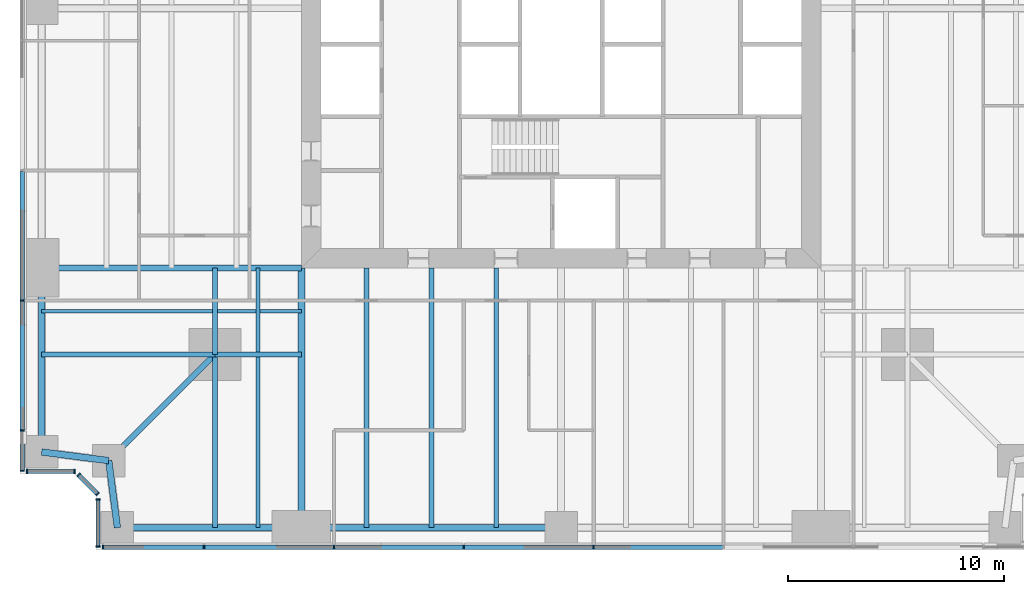
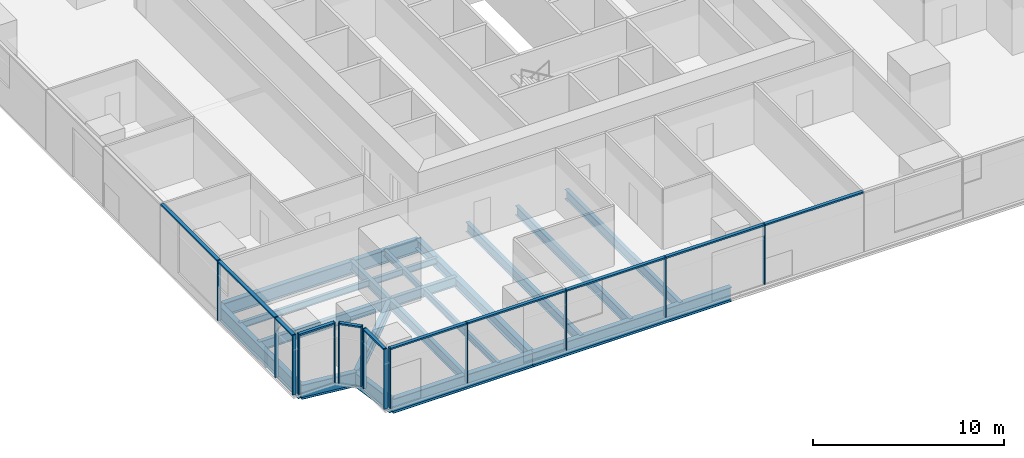
# One storey, part 2 of 14: 25 members, 20 beams, 5 elements without a shape of their own.
"""IFC4 building model written with IfcOpenShell, lengths in metres."""

from ifc_helpers import new_model, si_unit, direction, frame, origin, origin_2d, place, context, subcontext, project, spatial, rectangle, i_section, extrude, material, material_profile, profile_set, type_object, element, aggregate, save


model = new_model("IFC4")

# Units and contexts
model_context = context("Model", 3, precision=1e-05, world=origin(), true_north=direction((0.0, 1.0)))
body_context = subcontext(model_context, "Body", "Model", "MODEL_VIEW")
ifc_project = project(units=[si_unit("LENGTHUNIT", "METRE"), si_unit("AREAUNIT", "SQUARE_METRE"), si_unit("VOLUMEUNIT", "CUBIC_METRE"), si_unit("PLANEANGLEUNIT", "RADIAN"), si_unit("MASSUNIT", "GRAM", prefix="KILO")], contexts=[model_context])

# Site, building, storey
site_placement = place(None, origin())
site = spatial("IfcSite", under=ifc_project, at=site_placement, CompositionType="ELEMENT")
building_placement = place(site_placement, origin())
building = spatial("IfcBuilding", under=site, at=building_placement, Name="Fenwick Lantern Interchange", CompositionType="ELEMENT")
storey_placement = place(building_placement, frame((0.0, 0.0, 35.0)))
storey = spatial("IfcBuildingStorey", under=building, at=storey_placement, Name="L07", CompositionType="ELEMENT", Elevation=35.0)

# Beams
ifc_material_1 = material(Name="Steel ASTM A992 Grade 50", Category="steel")
ifc_material_profile_1 = material_profile(ifc_material_1, i_section(OverallWidth=0.3046875, OverallDepth=0.911865234375, WebThickness=0.015869140625, FlangeThickness=0.02392578125, at=origin_2d()), Name="W36X150")
ifc_profile_set_1 = profile_set([ifc_material_profile_1], Name="Steel ASTM A992 Grade 50")
beam_type_1 = type_object("IfcBeamType", Name="EDGE BEAM W36X150", PredefinedType="SPANDREL", material=ifc_profile_set_1)
beam_1_placement = place(storey_placement, frame((4.5, 1.0, -0.60595703125), z_axis=(1.0, 0.0, 0.0), x_axis=(0.0, 1.0, 0.0)))
element("IfcBeam", 1, at=beam_1_placement, inside=storey, type_object=beam_type_1, Name="L07/FR/S/EB1", PredefinedType="SPANDREL", context=body_context, shape_type="SweptSolid", body=[
    extrude(i_section(OverallWidth=0.3046875, OverallDepth=0.911865234375, WebThickness=0.015869140625, FlangeThickness=0.02392578125, at=origin_2d()), origin(), (0.0, 0.0, 1.0), 8.5),
])
beam_2_placement = place(storey_placement, frame((13.0, 1.0, -0.60595703125), z_axis=(1.0, 0.0, 0.0), x_axis=(0.0, 1.0, 0.0)))
element("IfcBeam", 2, at=beam_2_placement, inside=storey, type_object=beam_type_1, Name="L07/FR/S/EB2", PredefinedType="SPANDREL", context=body_context, shape_type="SweptSolid", body=[
    extrude(i_section(OverallWidth=0.3046875, OverallDepth=0.911865234375, WebThickness=0.015869140625, FlangeThickness=0.02392578125, at=origin_2d()), origin(), (0.0, 0.0, 1.0), 12.0),
])
beam_3_placement = place(storey_placement, frame((1.0, 13.0, -0.60595703125), z_axis=(0.0, -1.0, 0.0), x_axis=(1.0, 0.0, 0.0)))
element("IfcBeam", 3, at=beam_3_placement, inside=storey, type_object=beam_type_1, Name="L07/FR/W/EB4", PredefinedType="SPANDREL", context=body_context, shape_type="SweptSolid", body=[
    extrude(i_section(OverallWidth=0.3046875, OverallDepth=0.911865234375, WebThickness=0.015869140625, FlangeThickness=0.02392578125, at=origin_2d()), origin(), (0.0, 0.0, 1.0), 8.5),
])
for number, where, z_axis, x_axis, name in (
    (4, (1.0, 4.5, -0.60595703125), (0.991782342897, -0.127936641807, 0.0), (0.127936641807, 0.991782342897, 0.0), "L07/FR/W/EBR1"),
    (5, (4.10009765625, 4.10009765625, -0.60595703125), (0.127936641807, -0.991782342897, 0.0), (0.991782342897, 0.127936641807, 0.0), "L07/FR/W/EBR2"),
):
    element("IfcBeam", number, at=place(storey_placement, frame(where, z_axis=z_axis, x_axis=x_axis)), inside=storey, type_object=beam_type_1, Name=name, PredefinedType="SPANDREL", context=body_context, shape_type="SweptSolid", body=[
        extrude(i_section(OverallWidth=0.3046875, OverallDepth=0.911865234375, WebThickness=0.015869140625, FlangeThickness=0.02392578125, at=origin_2d()), origin(), (0.0, 0.0, 1.0), 3.125732421875),
    ])
ifc_material_profile_2 = material_profile(ifc_material_1, i_section(OverallWidth=0.22900390625, OverallDepth=0.612060546875, WebThickness=0.011962890625, FlangeThickness=0.01953125, at=origin_2d()), Name="W24X84")
ifc_profile_set_2 = profile_set([ifc_material_profile_2], Name="Steel ASTM A992 Grade 50")
beam_type_2 = type_object("IfcBeamType", Name="FLOOR BEAM W24X84", PredefinedType="BEAM", material=ifc_profile_set_2)
for number, where, z_axis, x_axis, name in (
    (6, (16.0, 1.0, -0.4560546875), (0.0, 1.0, 0.0), (-1.0, 0.0, 0.0), "L07/FR/S/R02"),
    (7, (19.0, 1.0, -0.4560546875), (0.0, 1.0, 0.0), (-1.0, 0.0, 0.0), "L07/FR/S/R03"),
    (8, (22.0, 1.0, -0.4560546875), (0.0, 1.0, 0.0), (-1.0, 0.0, 0.0), "L07/FR/S/R04"),
):
    element("IfcBeam", number, at=place(storey_placement, frame(where, z_axis=z_axis, x_axis=x_axis)), inside=storey, type_object=beam_type_2, Name=name, PredefinedType="BEAM", context=body_context, shape_type="SweptSolid", body=[
        extrude(i_section(OverallWidth=0.22900390625, OverallDepth=0.612060546875, WebThickness=0.011962890625, FlangeThickness=0.01953125, at=origin_2d()), origin(), (0.0, 0.0, 1.0), 12.0),
    ])
ifc_material_profile_3 = material_profile(ifc_material_1, i_section(OverallWidth=0.177734375, OverallDepth=0.406494140625, WebThickness=0.0078125, FlangeThickness=0.012939453125, at=origin_2d()), Name="W16X40")
ifc_profile_set_3 = profile_set([ifc_material_profile_3], Name="Steel ASTM A992 Grade 50")
beam_type_3 = type_object("IfcBeamType", Name="INFILL BEAM W16X40", PredefinedType="JOIST", material=ifc_profile_set_3)
beam_4_placement = place(storey_placement, frame((11.0, 1.0, -0.353271484375), z_axis=(0.0, 1.0, 0.0), x_axis=(-1.0, 0.0, 0.0)))
element("IfcBeam", 9, at=beam_4_placement, inside=storey, type_object=beam_type_3, Name="L07/FR/S/J1", PredefinedType="JOIST", context=body_context, shape_type="SweptSolid", body=[
    extrude(i_section(OverallWidth=0.177734375, OverallDepth=0.406494140625, WebThickness=0.0078125, FlangeThickness=0.012939453125, at=origin_2d()), origin(), (0.0, 0.0, 1.0), 7.885498046875),
])
beam_5_placement = place(storey_placement, frame((11.0, 9.114501953125, -0.353271484375), z_axis=(0.0, 1.0, 0.0), x_axis=(-1.0, 0.0, 0.0)))
element("IfcBeam", 10, at=beam_5_placement, inside=storey, type_object=beam_type_3, Name="L07/FR/S/J2", PredefinedType="JOIST", context=body_context, shape_type="SweptSolid", body=[
    extrude(i_section(OverallWidth=0.177734375, OverallDepth=0.406494140625, WebThickness=0.0078125, FlangeThickness=0.012939453125, at=origin_2d()), origin(), (0.0, 0.0, 1.0), 3.885498046875),
])
beam_6_placement = place(storey_placement, frame((1.0, 11.0, -0.353271484375), z_axis=(1.0, 0.0, 0.0), x_axis=(0.0, 1.0, 0.0)))
element("IfcBeam", 11, at=beam_6_placement, inside=storey, type_object=beam_type_3, Name="L07/FR/S/J3", PredefinedType="JOIST", context=body_context, shape_type="SweptSolid", body=[
    extrude(i_section(OverallWidth=0.177734375, OverallDepth=0.406494140625, WebThickness=0.0078125, FlangeThickness=0.012939453125, at=origin_2d()), origin(), (0.0, 0.0, 1.0), 7.885498046875),
])
beam_7_placement = place(storey_placement, frame((9.114501953125, 11.0, -0.353271484375), z_axis=(1.0, 0.0, 0.0), x_axis=(0.0, 1.0, 0.0)))
element("IfcBeam", 12, at=beam_7_placement, inside=storey, type_object=beam_type_3, Name="L07/FR/S/J4", PredefinedType="JOIST", context=body_context, shape_type="SweptSolid", body=[
    extrude(i_section(OverallWidth=0.177734375, OverallDepth=0.406494140625, WebThickness=0.0078125, FlangeThickness=0.012939453125, at=origin_2d()), origin(), (0.0, 0.0, 1.0), 1.796630859375),
])
beam_8_placement = place(storey_placement, frame((11.0888671875, 11.0, -0.353271484375), z_axis=(1.0, 0.0, 0.0), x_axis=(0.0, 1.0, 0.0)))
element("IfcBeam", 13, at=beam_8_placement, inside=storey, type_object=beam_type_3, Name="L07/FR/S/J5", PredefinedType="JOIST", context=body_context, shape_type="SweptSolid", body=[
    extrude(i_section(OverallWidth=0.177734375, OverallDepth=0.406494140625, WebThickness=0.0078125, FlangeThickness=0.012939453125, at=origin_2d()), origin(), (0.0, 0.0, 1.0), 1.9111328125),
])
ifc_material_profile_4 = material_profile(ifc_material_1, i_section(OverallWidth=0.22900390625, OverallDepth=0.612060546875, WebThickness=0.011962890625, FlangeThickness=0.01953125, at=origin_2d()), Name="W24X84")
ifc_profile_set_4 = profile_set([ifc_material_profile_4], Name="Steel ASTM A992 Grade 50")
beam_type_4 = type_object("IfcBeamType", Name="MEGA COLUMN BEAM W24X84", PredefinedType="BEAM", material=ifc_profile_set_4)
for number, where, z_axis, x_axis, name in (
    (14, (9.0, 9.0, -0.4560546875), (0.0, -1.0, 0.0), (1.0, 0.0, 0.0), "L07/FR/S/MB1"),
    (15, (9.0, 9.0, -0.4560546875), (-1.0, 0.0, 0.0), (0.0, -1.0, 0.0), "L07/FR/S/MB2"),
):
    element("IfcBeam", number, at=place(storey_placement, frame(where, z_axis=z_axis, x_axis=x_axis)), inside=storey, type_object=beam_type_4, Name=name, PredefinedType="BEAM", context=body_context, shape_type="SweptSolid", body=[
        extrude(i_section(OverallWidth=0.22900390625, OverallDepth=0.612060546875, WebThickness=0.011962890625, FlangeThickness=0.01953125, at=origin_2d()), origin(), (0.0, 0.0, 1.0), 8.0),
    ])
for number, where, z_axis, x_axis, name in (
    (16, (9.0, 9.0, -0.4560546875), (1.0, 0.0, 0.0), (0.0, 1.0, 0.0), "L07/FR/S/MB3"),
    (17, (9.0, 9.0, -0.4560546875), (0.0, 1.0, 0.0), (-1.0, 0.0, 0.0), "L07/FR/S/MB4"),
):
    element("IfcBeam", number, at=place(storey_placement, frame(where, z_axis=z_axis, x_axis=x_axis)), inside=storey, type_object=beam_type_4, Name=name, PredefinedType="BEAM", context=body_context, shape_type="SweptSolid", body=[
        extrude(i_section(OverallWidth=0.22900390625, OverallDepth=0.612060546875, WebThickness=0.011962890625, FlangeThickness=0.01953125, at=origin_2d()), origin(), (0.0, 0.0, 1.0), 4.0),
    ])
ifc_material_profile_5 = material_profile(ifc_material_1, i_section(OverallWidth=0.32763671875, OverallDepth=0.622314453125, WebThickness=0.015380859375, FlangeThickness=0.0244140625, at=origin_2d()), Name="W24X131")
ifc_profile_set_5 = profile_set([ifc_material_profile_5], Name="Steel ASTM A992 Grade 50")
beam_type_5 = type_object("IfcBeamType", Name="MOMENT-CONNECTED GIRDER W24X131", PredefinedType="BEAM", material=ifc_profile_set_5)
beam_9_placement = place(storey_placement, frame((13.0, 1.0, -0.461181640625), z_axis=(0.0, 1.0, 0.0), x_axis=(-1.0, 0.0, 0.0)))
element("IfcBeam", 18, at=beam_9_placement, inside=storey, type_object=beam_type_5, Name="L07/FR/S/R01", PredefinedType="BEAM", context=body_context, shape_type="SweptSolid", body=[
    extrude(i_section(OverallWidth=0.32763671875, OverallDepth=0.622314453125, WebThickness=0.015380859375, FlangeThickness=0.0244140625, at=origin_2d()), origin(), (0.0, 0.0, 1.0), 12.0),
])
ifc_material_profile_6 = material_profile(ifc_material_1, i_section(OverallWidth=0.2919921875, OverallDepth=0.845703125, WebThickness=0.015380859375, FlangeThickness=0.0244140625, at=origin_2d()), Name="W33X141")
ifc_profile_set_6 = profile_set([ifc_material_profile_6], Name="Steel ASTM A992 Grade 50")
beam_type_6 = type_object("IfcBeamType", Name="MOMENT-CONNECTED GIRDER W33X141", PredefinedType="BEAM", material=ifc_profile_set_6)
beam_10_placement = place(storey_placement, frame((1.0, 13.0, -0.572998046875), z_axis=(1.0, 0.0, 0.0), x_axis=(0.0, 1.0, 0.0)))
element("IfcBeam", 19, at=beam_10_placement, inside=storey, type_object=beam_type_6, Name="L07/FR/W/R03", PredefinedType="BEAM", context=body_context, shape_type="SweptSolid", body=[
    extrude(i_section(OverallWidth=0.2919921875, OverallDepth=0.845703125, WebThickness=0.015380859375, FlangeThickness=0.0244140625, at=origin_2d()), origin(), (0.0, 0.0, 1.0), 12.0),
])
ifc_material_profile_7 = material_profile(ifc_material_1, i_section(OverallWidth=0.2666015625, OverallDepth=0.7568359375, WebThickness=0.013916015625, FlangeThickness=0.019287109375, at=origin_2d()), Name="W30X108")
ifc_profile_set_7 = profile_set([ifc_material_profile_7], Name="Steel ASTM A992 Grade 50")
beam_type_7 = type_object("IfcBeamType", Name="NOTCH BEAM W30X108", PredefinedType="BEAM", material=ifc_profile_set_7)
beam_11_placement = place(storey_placement, frame((9.0, 9.0, -0.528564453125), z_axis=(-0.707106781187, -0.707106781187, 0.0), x_axis=(0.707106781187, -0.707106781187, 0.0)))
element("IfcBeam", 20, at=beam_11_placement, inside=storey, type_object=beam_type_7, Name="L07/FR/S/TG", PredefinedType="BEAM", context=body_context, shape_type="SweptSolid", body=[
    extrude(i_section(OverallWidth=0.2666015625, OverallDepth=0.7568359375, WebThickness=0.013916015625, FlangeThickness=0.019287109375, at=origin_2d()), origin(), (0.0, 0.0, 1.0), 6.929443359375),
])

# Curtain wall, members
ifc_material_2 = material(Name="Aluminium curtain wall frame", Category="aluminium")
curtain_wall_type = type_object("IfcCurtainWallType", Name="OFFICE CURTAIN WALL", PredefinedType="USERDEFINED", material=ifc_material_2)
curtain_wall_1_placement = place(storey_placement, origin())
curtain_wall_1 = element("IfcCurtainWall", 21, at=curtain_wall_1_placement, inside=storey, type_object=curtain_wall_type, Name="Office curtain wall 01", ObjectType="OFFICE CURTAIN WALL", PredefinedType="USERDEFINED")
ifc_material_3 = material(Name="Aluminium extrusion", Category="aluminium")
ifc_material_profile_8 = material_profile(ifc_material_3, rectangle(XDim=0.199951171875, YDim=0.06494140625, at=origin_2d()), Name="OFFICE CURTAIN WALL MULLION 65 X 200")
ifc_profile_set_8 = profile_set([ifc_material_profile_8], Name="Aluminium extrusion")
member_type_1 = type_object("IfcMemberType", Name="OFFICE CURTAIN WALL MULLION 65 X 200", PredefinedType="MULLION", material=ifc_profile_set_8)
member_1_placement = place(storey_placement, frame((3.83251953125, 0.10009765625, 0.0), z_axis=(0.0, 0.0, 1.0), x_axis=(0.0, 1.0, 0.0)))
member_1 = element("IfcMember", 22, at=member_1_placement, type_object=member_type_1, Name="L07/CW/01/M00", PredefinedType="MULLION", context=body_context, shape_type="SweptSolid", body=[
    extrude(rectangle(XDim=0.199951171875, YDim=0.06494140625, at=origin_2d()), origin(), (0.0, 0.0, 1.0), 3.85009765625),
])
member_2_placement = place(storey_placement, frame((8.5, 0.10009765625, 0.0), z_axis=(0.0, 0.0, 1.0), x_axis=(0.0, 1.0, 0.0)))
member_2 = element("IfcMember", 23, at=member_2_placement, type_object=member_type_1, Name="L07/CW/01/M01", PredefinedType="MULLION", context=body_context, shape_type="SweptSolid", body=[
    extrude(rectangle(XDim=0.199951171875, YDim=0.06494140625, at=origin_2d()), origin(), (0.0, 0.0, 1.0), 3.85009765625),
])
member_3_placement = place(storey_placement, frame((14.5, 0.10009765625, 0.0), z_axis=(0.0, 0.0, 1.0), x_axis=(0.0, 1.0, 0.0)))
member_3 = element("IfcMember", 24, at=member_3_placement, type_object=member_type_1, Name="L07/CW/01/M02", PredefinedType="MULLION", context=body_context, shape_type="SweptSolid", body=[
    extrude(rectangle(XDim=0.199951171875, YDim=0.06494140625, at=origin_2d()), origin(), (0.0, 0.0, 1.0), 3.85009765625),
])
member_4_placement = place(storey_placement, frame((20.5, 0.10009765625, 0.0), z_axis=(0.0, 0.0, 1.0), x_axis=(0.0, 1.0, 0.0)))
member_4 = element("IfcMember", 25, at=member_4_placement, type_object=member_type_1, Name="L07/CW/01/M03", PredefinedType="MULLION", context=body_context, shape_type="SweptSolid", body=[
    extrude(rectangle(XDim=0.199951171875, YDim=0.06494140625, at=origin_2d()), origin(), (0.0, 0.0, 1.0), 3.85009765625),
])
member_5_placement = place(storey_placement, frame((26.5, 0.10009765625, 0.0), z_axis=(0.0, 0.0, 1.0), x_axis=(0.0, 1.0, 0.0)))
member_5 = element("IfcMember", 26, at=member_5_placement, type_object=member_type_1, Name="L07/CW/01/M04", PredefinedType="MULLION", context=body_context, shape_type="SweptSolid", body=[
    extrude(rectangle(XDim=0.199951171875, YDim=0.06494140625, at=origin_2d()), origin(), (0.0, 0.0, 1.0), 3.85009765625),
])

curtain_wall_2_placement = place(storey_placement, origin())
curtain_wall_2 = element("IfcCurtainWall", 27, at=curtain_wall_2_placement, inside=storey, type_object=curtain_wall_type, Name="Office curtain wall 13", ObjectType="OFFICE CURTAIN WALL", PredefinedType="USERDEFINED")
member_6_placement = place(storey_placement, frame((0.10009765625, 11.5, 0.0), z_axis=(0.0, 0.0, 1.0), x_axis=(1.0, 0.0, 0.0)))
member_6 = element("IfcMember", 28, at=member_6_placement, type_object=member_type_1, Name="L07/CW/13/M06", PredefinedType="MULLION", context=body_context, shape_type="SweptSolid", body=[
    extrude(rectangle(XDim=0.199951171875, YDim=0.06494140625, at=origin_2d()), origin(), (0.0, 0.0, 1.0), 3.85009765625),
])
member_7_placement = place(storey_placement, frame((0.10009765625, 5.5, 0.0), z_axis=(0.0, 0.0, 1.0), x_axis=(1.0, 0.0, 0.0)))
member_7 = element("IfcMember", 29, at=member_7_placement, type_object=member_type_1, Name="L07/CW/13/M07", PredefinedType="MULLION", context=body_context, shape_type="SweptSolid", body=[
    extrude(rectangle(XDim=0.199951171875, YDim=0.06494140625, at=origin_2d()), origin(), (0.0, 0.0, 1.0), 3.85009765625),
])
member_8_placement = place(storey_placement, frame((0.10009765625, 3.632568359375, 0.0), z_axis=(0.0, 0.0, 1.0), x_axis=(1.0, 0.0, 0.0)))
member_8 = element("IfcMember", 30, at=member_8_placement, type_object=member_type_1, Name="L07/CW/13/M08", PredefinedType="MULLION", context=body_context, shape_type="SweptSolid", body=[
    extrude(rectangle(XDim=0.199951171875, YDim=0.06494140625, at=origin_2d()), origin(), (0.0, 0.0, 1.0), 3.85009765625),
])

curtain_wall_3_placement = place(storey_placement, origin())
curtain_wall_3 = element("IfcCurtainWall", 31, at=curtain_wall_3_placement, inside=storey, type_object=curtain_wall_type, Name="Office curtain wall 14", ObjectType="OFFICE CURTAIN WALL", PredefinedType="USERDEFINED")
member_9_placement = place(storey_placement, frame((0.33251953125, 3.60009765625, 0.0), z_axis=(0.0, 0.0, 1.0), x_axis=(0.0, 1.0, 0.0)))
member_9 = element("IfcMember", 32, at=member_9_placement, type_object=member_type_1, Name="L07/CW/14/M00", PredefinedType="MULLION", context=body_context, shape_type="SweptSolid", body=[
    extrude(rectangle(XDim=0.199951171875, YDim=0.06494140625, at=origin_2d()), origin(), (0.0, 0.0, 1.0), 3.85009765625),
])
member_10_placement = place(storey_placement, frame((2.509033203125, 3.60009765625, 0.0), z_axis=(0.0, 0.0, 1.0), x_axis=(0.0, 1.0, 0.0)))
member_10 = element("IfcMember", 33, at=member_10_placement, type_object=member_type_1, Name="L07/CW/14/M01", PredefinedType="MULLION", context=body_context, shape_type="SweptSolid", body=[
    extrude(rectangle(XDim=0.199951171875, YDim=0.06494140625, at=origin_2d()), origin(), (0.0, 0.0, 1.0), 3.85009765625),
])

curtain_wall_4_placement = place(storey_placement, origin())
curtain_wall_4 = element("IfcCurtainWall", 34, at=curtain_wall_4_placement, inside=storey, type_object=curtain_wall_type, Name="Office curtain wall 15", ObjectType="OFFICE CURTAIN WALL", PredefinedType="USERDEFINED")
member_11_placement = place(storey_placement, frame((2.705810546875, 3.435546875, 0.0), z_axis=(0.0, 0.0, 1.0), x_axis=(0.707106781187, 0.707106781187, 0.0)))
member_11 = element("IfcMember", 35, at=member_11_placement, type_object=member_type_1, Name="L07/CW/15/M00", PredefinedType="MULLION", context=body_context, shape_type="SweptSolid", body=[
    extrude(rectangle(XDim=0.199951171875, YDim=0.06494140625, at=origin_2d()), origin(), (0.0, 0.0, 1.0), 3.85009765625),
])
member_12_placement = place(storey_placement, frame((3.576904296875, 2.564453125, 0.0), z_axis=(0.0, 0.0, 1.0), x_axis=(0.707106781187, 0.707106781187, 0.0)))
member_12 = element("IfcMember", 36, at=member_12_placement, type_object=member_type_1, Name="L07/CW/15/M01", PredefinedType="MULLION", context=body_context, shape_type="SweptSolid", body=[
    extrude(rectangle(XDim=0.199951171875, YDim=0.06494140625, at=origin_2d()), origin(), (0.0, 0.0, 1.0), 3.85009765625),
])

curtain_wall_5_placement = place(storey_placement, origin())
curtain_wall_5 = element("IfcCurtainWall", 37, at=curtain_wall_5_placement, inside=storey, type_object=curtain_wall_type, Name="Office curtain wall 16", ObjectType="OFFICE CURTAIN WALL", PredefinedType="USERDEFINED")
member_13_placement = place(storey_placement, frame((3.60009765625, 2.308837890625, 0.0), z_axis=(0.0, 0.0, 1.0), x_axis=(1.0, 0.0, 0.0)))
member_13 = element("IfcMember", 38, at=member_13_placement, type_object=member_type_1, Name="L07/CW/16/M00", PredefinedType="MULLION", context=body_context, shape_type="SweptSolid", body=[
    extrude(rectangle(XDim=0.199951171875, YDim=0.06494140625, at=origin_2d()), origin(), (0.0, 0.0, 1.0), 3.85009765625),
])
member_14_placement = place(storey_placement, frame((3.60009765625, 0.132568359375, 0.0), z_axis=(0.0, 0.0, 1.0), x_axis=(1.0, 0.0, 0.0)))
member_14 = element("IfcMember", 39, at=member_14_placement, type_object=member_type_1, Name="L07/CW/16/M01", PredefinedType="MULLION", context=body_context, shape_type="SweptSolid", body=[
    extrude(rectangle(XDim=0.199951171875, YDim=0.06494140625, at=origin_2d()), origin(), (0.0, 0.0, 1.0), 3.85009765625),
])

# Member
ifc_material_profile_9 = material_profile(ifc_material_3, rectangle(XDim=0.199951171875, YDim=0.10009765625, at=origin_2d()), Name="OFFICE CURTAIN WALL TRANSOM 100 X 200")
ifc_profile_set_9 = profile_set([ifc_material_profile_9], Name="Aluminium extrusion")
member_type_2 = type_object("IfcMemberType", Name="OFFICE CURTAIN WALL TRANSOM 100 X 200", PredefinedType="MULLION", material=ifc_profile_set_9)
member_15_placement = place(storey_placement, frame((3.864990234375, 0.10009765625, 3.800048828125), z_axis=(1.0, 0.0, 0.0), x_axis=(0.0, 1.0, 0.0)))
member_15 = element("IfcMember", 40, at=member_15_placement, type_object=member_type_2, Name="L07/CW/01/T00", PredefinedType="MULLION", context=body_context, shape_type="SweptSolid", body=[
    extrude(rectangle(XDim=0.199951171875, YDim=0.10009765625, at=origin_2d()), origin(), (0.0, 0.0, 1.0), 4.6025390625),
])

member_16_placement = place(storey_placement, frame((8.532470703125, 0.10009765625, 3.800048828125), z_axis=(1.0, 0.0, 0.0), x_axis=(0.0, 1.0, 0.0)))
member_16 = element("IfcMember", 41, at=member_16_placement, type_object=member_type_2, Name="L07/CW/01/T01", PredefinedType="MULLION", context=body_context, shape_type="SweptSolid", body=[
    extrude(rectangle(XDim=0.199951171875, YDim=0.10009765625, at=origin_2d()), origin(), (0.0, 0.0, 1.0), 5.93505859375),
])

member_17_placement = place(storey_placement, frame((14.532470703125, 0.10009765625, 3.800048828125), z_axis=(1.0, 0.0, 0.0), x_axis=(0.0, 1.0, 0.0)))
member_17 = element("IfcMember", 42, at=member_17_placement, type_object=member_type_2, Name="L07/CW/01/T02", PredefinedType="MULLION", context=body_context, shape_type="SweptSolid", body=[
    extrude(rectangle(XDim=0.199951171875, YDim=0.10009765625, at=origin_2d()), origin(), (0.0, 0.0, 1.0), 5.93505859375),
])

member_18_placement = place(storey_placement, frame((20.532470703125, 0.10009765625, 3.800048828125), z_axis=(1.0, 0.0, 0.0), x_axis=(0.0, 1.0, 0.0)))
member_18 = element("IfcMember", 43, at=member_18_placement, type_object=member_type_2, Name="L07/CW/01/T03", PredefinedType="MULLION", context=body_context, shape_type="SweptSolid", body=[
    extrude(rectangle(XDim=0.199951171875, YDim=0.10009765625, at=origin_2d()), origin(), (0.0, 0.0, 1.0), 5.93505859375),
])

member_19_placement = place(storey_placement, frame((26.532470703125, 0.10009765625, 3.800048828125), z_axis=(1.0, 0.0, 0.0), x_axis=(0.0, 1.0, 0.0)))
member_19 = element("IfcMember", 44, at=member_19_placement, type_object=member_type_2, Name="L07/CW/01/T04", PredefinedType="MULLION", context=body_context, shape_type="SweptSolid", body=[
    extrude(rectangle(XDim=0.199951171875, YDim=0.10009765625, at=origin_2d()), origin(), (0.0, 0.0, 1.0), 5.93505859375),
])

aggregate(curtain_wall_1, [member_1, member_2, member_3, member_4, member_5, member_15, member_16, member_17, member_18, member_19])

member_20_placement = place(storey_placement, frame((0.10009765625, 17.467529296875, 3.800048828125), z_axis=(0.0, -1.0, 0.0), x_axis=(1.0, 0.0, 0.0)))
member_20 = element("IfcMember", 45, at=member_20_placement, type_object=member_type_2, Name="L07/CW/13/T05", PredefinedType="MULLION", context=body_context, shape_type="SweptSolid", body=[
    extrude(rectangle(XDim=0.199951171875, YDim=0.10009765625, at=origin_2d()), origin(), (0.0, 0.0, 1.0), 5.93505859375),
])

member_21_placement = place(storey_placement, frame((0.10009765625, 11.467529296875, 3.800048828125), z_axis=(0.0, -1.0, 0.0), x_axis=(1.0, 0.0, 0.0)))
member_21 = element("IfcMember", 46, at=member_21_placement, type_object=member_type_2, Name="L07/CW/13/T06", PredefinedType="MULLION", context=body_context, shape_type="SweptSolid", body=[
    extrude(rectangle(XDim=0.199951171875, YDim=0.10009765625, at=origin_2d()), origin(), (0.0, 0.0, 1.0), 5.93505859375),
])

member_22_placement = place(storey_placement, frame((0.10009765625, 5.467529296875, 3.800048828125), z_axis=(0.0, -1.0, 0.0), x_axis=(1.0, 0.0, 0.0)))
member_22 = element("IfcMember", 47, at=member_22_placement, type_object=member_type_2, Name="L07/CW/13/T07", PredefinedType="MULLION", context=body_context, shape_type="SweptSolid", body=[
    extrude(rectangle(XDim=0.199951171875, YDim=0.10009765625, at=origin_2d()), origin(), (0.0, 0.0, 1.0), 1.802490234375),
])

aggregate(curtain_wall_2, [member_6, member_7, member_8, member_20, member_21, member_22])

member_23_placement = place(storey_placement, frame((0.364990234375, 3.60009765625, 3.800048828125), z_axis=(1.0, 0.0, 0.0), x_axis=(0.0, 1.0, 0.0)))
member_23 = element("IfcMember", 48, at=member_23_placement, type_object=member_type_2, Name="L07/CW/14/T00", PredefinedType="MULLION", context=body_context, shape_type="SweptSolid", body=[
    extrude(rectangle(XDim=0.199951171875, YDim=0.10009765625, at=origin_2d()), origin(), (0.0, 0.0, 1.0), 2.111328125),
])

aggregate(curtain_wall_3, [member_9, member_10, member_23])

member_24_placement = place(storey_placement, frame((2.728759765625, 3.41259765625, 3.800048828125), z_axis=(0.707106781187, -0.707106781187, 0.0), x_axis=(0.707106781187, 0.707106781187, 0.0)))
member_24 = element("IfcMember", 49, at=member_24_placement, type_object=member_type_2, Name="L07/CW/15/T00", PredefinedType="MULLION", context=body_context, shape_type="SweptSolid", body=[
    extrude(rectangle(XDim=0.199951171875, YDim=0.10009765625, at=origin_2d()), origin(), (0.0, 0.0, 1.0), 1.1669921875),
])

aggregate(curtain_wall_4, [member_11, member_12, member_24])

member_25_placement = place(storey_placement, frame((3.60009765625, 2.2763671875, 3.800048828125), z_axis=(0.0, -1.0, 0.0), x_axis=(1.0, 0.0, 0.0)))
member_25 = element("IfcMember", 50, at=member_25_placement, type_object=member_type_2, Name="L07/CW/16/T00", PredefinedType="MULLION", context=body_context, shape_type="SweptSolid", body=[
    extrude(rectangle(XDim=0.199951171875, YDim=0.10009765625, at=origin_2d()), origin(), (0.0, 0.0, 1.0), 2.111328125),
])

aggregate(curtain_wall_5, [member_13, member_14, member_25])

save(model, "model.ifc")
